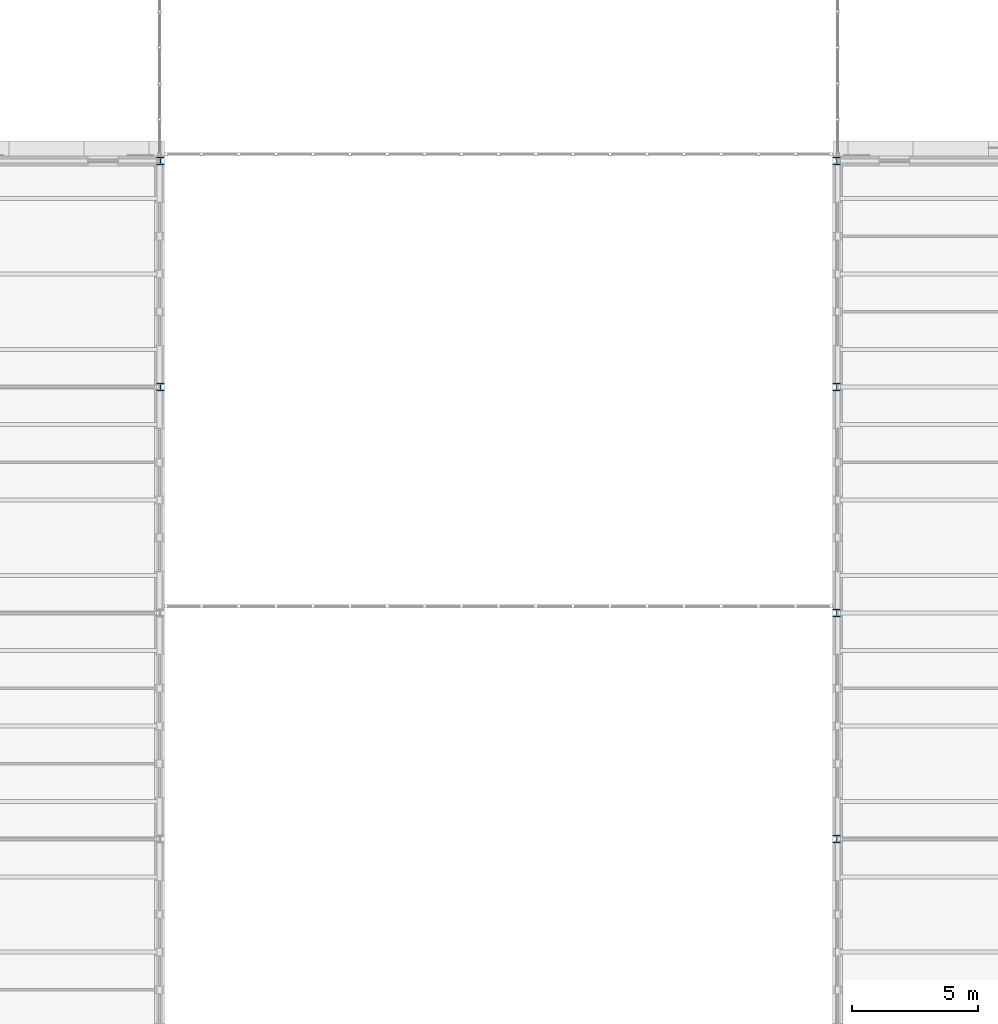
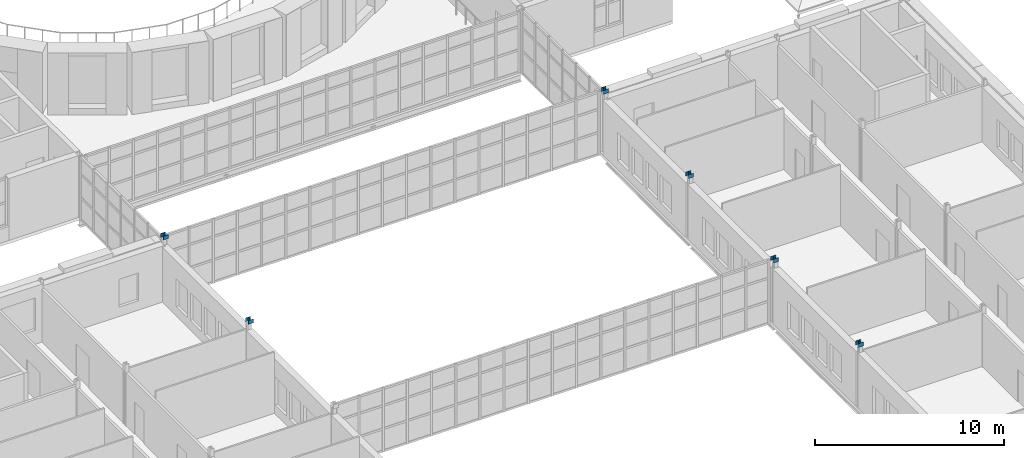
# One storey, part 17 of 154: 6 columns.
"""IFC4 building model written with IfcOpenShell, lengths in metres."""

from ifc_helpers import new_model, si_unit, direction, frame, origin, origin_2d, place, context, subcontext, project, spatial, i_section, extrude, material, material_profile, profile_set, type_object, element, save


model = new_model("IFC4")

# Units and contexts
model_context = context("Model", 3, precision=1e-05, world=origin(), true_north=direction((0.0, 1.0)))
body_context = subcontext(model_context, "Body", "Model", "MODEL_VIEW")
ifc_project = project(units=[si_unit("LENGTHUNIT", "METRE"), si_unit("AREAUNIT", "SQUARE_METRE"), si_unit("VOLUMEUNIT", "CUBIC_METRE"), si_unit("PLANEANGLEUNIT", "RADIAN"), si_unit("MASSUNIT", "GRAM", prefix="KILO")], contexts=[model_context])

# Site, building, storey
site_placement = place(None, origin())
site = spatial("IfcSite", under=ifc_project, at=site_placement, CompositionType="ELEMENT")
building_placement = place(site_placement, origin())
building = spatial("IfcBuilding", under=site, at=building_placement, Name="Golden Quay Civic Hall", CompositionType="ELEMENT")
storey_placement = place(building_placement, frame((0.0, 0.0, 14.39990234375)))
storey = spatial("IfcBuildingStorey", under=building, at=storey_placement, Name="L03", CompositionType="ELEMENT", Elevation=14.39990234375)

# Columns
ifc_material = material(Name="Steel S355", Category="steel")
ifc_material_profile = material_profile(ifc_material, i_section(OverallWidth=0.300048828125, OverallDepth=0.300048828125, WebThickness=0.010986328125, FlangeThickness=0.01904296875, FilletRadius=0.027099609375, at=origin_2d()), Name="HEB 300")
ifc_profile_set = profile_set([ifc_material_profile], Name="Steel S355")
column_type = type_object("IfcColumnType", Name="Steel springing post HEB 300", PredefinedType="COLUMN", material=ifc_profile_set)
for number, where, z_axis, x_axis, name in (
    (1, (72.0400390625, 45.0, 3.9501953125), (0.0, 0.0, 1.0), (1.0, 0.0, 0.0), "Springing post west 45"),
    (2, (72.0400390625, 54.0, 3.9501953125), (0.0, 0.0, 1.0), (1.0, 0.0, 0.0), "Springing post west 54"),
    (3, (98.9599609375, 27.0, 3.9501953125), (0.0, 0.0, 1.0), (1.0, 0.0, 0.0), "Springing post east 27"),
    (4, (98.9599609375, 36.0, 3.9501953125), (0.0, 0.0, 1.0), (1.0, 0.0, 0.0), "Springing post east 36"),
    (5, (98.9599609375, 45.0, 3.9501953125), (0.0, 0.0, 1.0), (1.0, 0.0, 0.0), "Springing post east 45"),
    (6, (98.9599609375, 54.0, 3.9501953125), (0.0, 0.0, 1.0), (1.0, 0.0, 0.0), "Springing post east 54"),
):
    element("IfcColumn", number, at=place(storey_placement, frame(where, z_axis=z_axis, x_axis=x_axis)), inside=storey, type_object=column_type, Name=name, PredefinedType="COLUMN", context=body_context, shape_type="SweptSolid", body=[
        extrude(i_section(OverallWidth=0.300048828125, OverallDepth=0.300048828125, WebThickness=0.010986328125, FlangeThickness=0.01904296875, FilletRadius=0.027099609375, at=origin_2d()), origin(), (0.0, 0.0, 1.0), 0.25),
    ])

save(model, "model.ifc")
